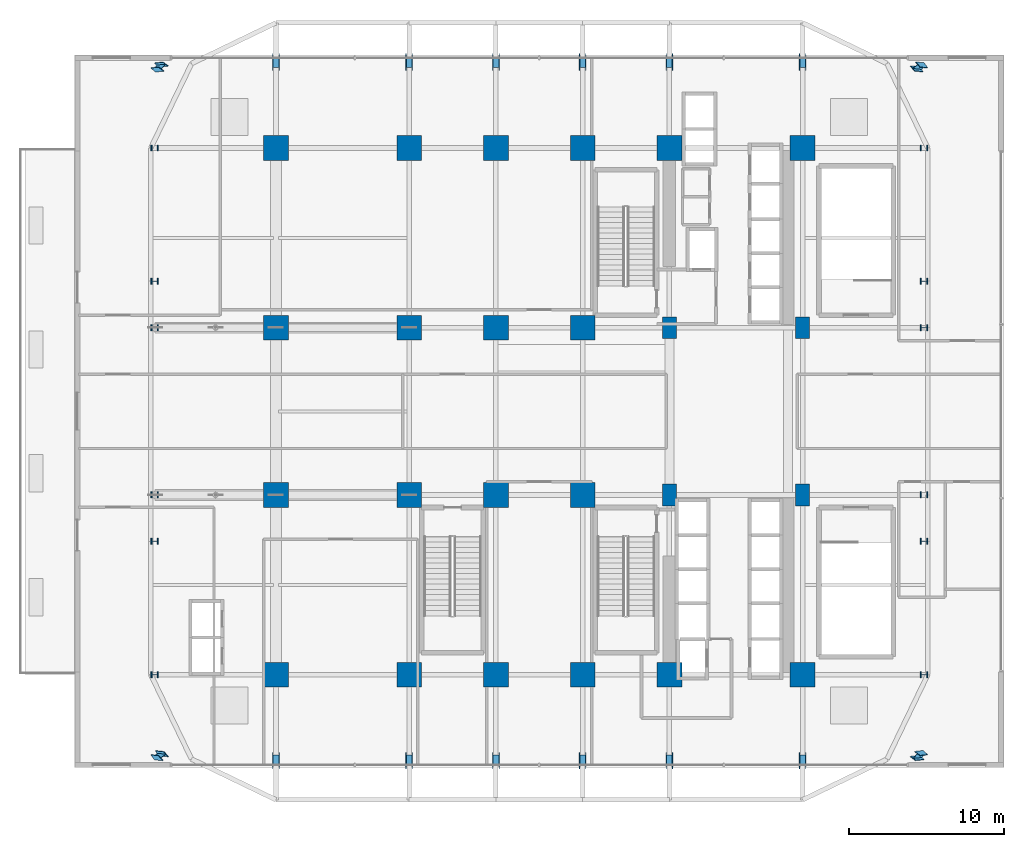
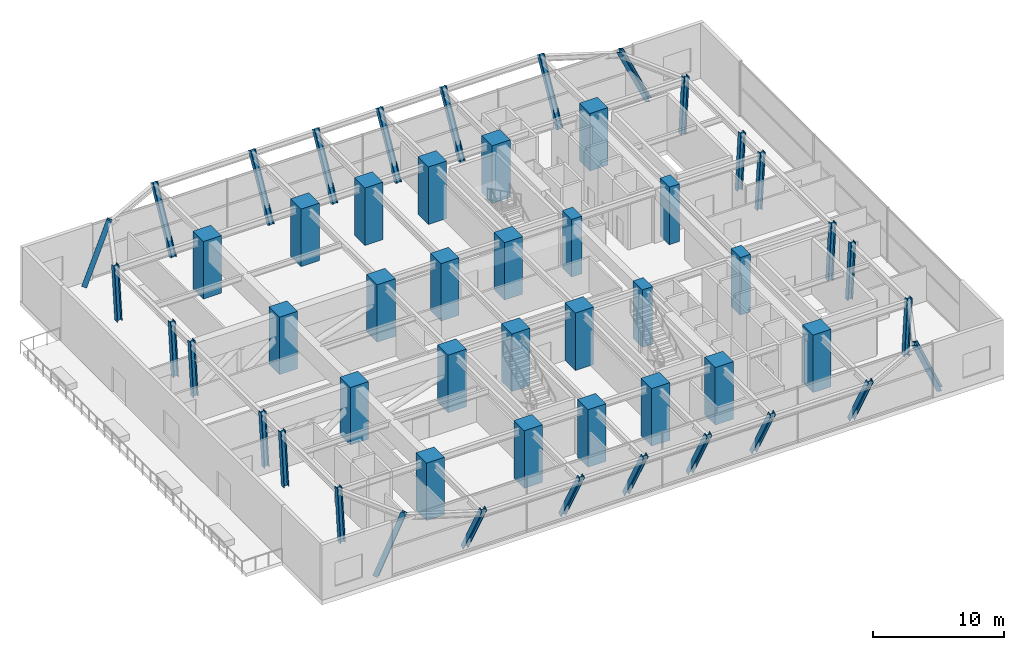
# One storey, part 1 of 29: 52 columns.
"""IFC4 building model written with IfcOpenShell, lengths in metres."""

from ifc_helpers import new_model, si_unit, direction, frame, origin, origin_2d, place, context, subcontext, project, spatial, rectangle, i_section, extrude, source, transform, mapped, material, material_profile, profile_set, type_object, element, save


model = new_model("IFC4")

# Units and contexts
model_context = context("Model", 3, precision=1e-05, world=origin(), true_north=direction((0.0, 1.0)))
body_context = subcontext(model_context, "Body", "Model", "MODEL_VIEW")
ifc_project = project(units=[si_unit("LENGTHUNIT", "METRE"), si_unit("AREAUNIT", "SQUARE_METRE"), si_unit("VOLUMEUNIT", "CUBIC_METRE"), si_unit("PLANEANGLEUNIT", "RADIAN"), si_unit("MASSUNIT", "GRAM", prefix="KILO")], contexts=[model_context])

# Site, building, storey
site_placement = place(None, origin())
site = spatial("IfcSite", under=ifc_project, at=site_placement, CompositionType="ELEMENT")
building_placement = place(site_placement, origin())
building = spatial("IfcBuilding", under=site, at=building_placement, Name="Nahalor Promenade Grand Hotel", CompositionType="ELEMENT")
storey_placement = place(building_placement, frame((0.0, 0.0, 27.0)))
storey = spatial("IfcBuildingStorey", under=building, at=storey_placement, Name="L05", CompositionType="ELEMENT", Elevation=27.0)

# Columns
ifc_material_1 = material(Name="Concrete B-70 (C60/75)", Category="concrete")
ifc_material_profile_1 = material_profile(ifc_material_1, rectangle(XDim=1.6, YDim=1.6, at=origin_2d()), Name="RC 1600x1600")
ifc_profile_set_1 = profile_set([ifc_material_profile_1], Name="Concrete B-70 (C60/75)")
column_type_1 = type_object("IfcColumnType", Name="Col-RC-1600", PredefinedType="COLUMN", material=ifc_profile_set_1)
shared_shape_1 = source(origin(), body_context, "Body", "SweptSolid", [
    extrude(rectangle(XDim=1.6, YDim=1.6, at=origin_2d()), origin(), (0.0, 0.0, 1.0), 5.35498046875),
])
for number, where, z_axis, x_axis, name in (
    (1, (-17.0, -17.0, 0.0), (0.0, 0.0, 1.0), (1.0, 0.0, 0.0), "COL-L05-I00"),
    (2, (-17.0, -5.39990234375, 0.0), (0.0, 0.0, 1.0), (1.0, 0.0, 0.0), "COL-L05-I01"),
    (3, (-17.0, 5.39990234375, 0.0), (0.0, 0.0, 1.0), (1.0, 0.0, 0.0), "COL-L05-I02"),
    (4, (-17.0, 17.0, 0.0), (0.0, 0.0, 1.0), (1.0, 0.0, 0.0), "COL-L05-I03"),
    (5, (-8.39990234375, -17.0, 0.0), (0.0, 0.0, 1.0), (1.0, 0.0, 0.0), "COL-L05-I10"),
    (6, (-8.39990234375, -5.39990234375, 0.0), (0.0, 0.0, 1.0), (1.0, 0.0, 0.0), "COL-L05-I11"),
    (7, (-8.39990234375, 5.39990234375, 0.0), (0.0, 0.0, 1.0), (1.0, 0.0, 0.0), "COL-L05-I12"),
    (8, (-8.39990234375, 17.0, 0.0), (0.0, 0.0, 1.0), (1.0, 0.0, 0.0), "COL-L05-I13"),
    (9, (-2.800048828125, -17.0, 0.0), (0.0, 0.0, 1.0), (1.0, 0.0, 0.0), "COL-L05-I20"),
    (10, (-2.800048828125, -5.39990234375, 0.0), (0.0, 0.0, 1.0), (1.0, 0.0, 0.0), "COL-L05-I21"),
    (11, (-2.800048828125, 5.39990234375, 0.0), (0.0, 0.0, 1.0), (1.0, 0.0, 0.0), "COL-L05-I22"),
    (12, (-2.800048828125, 17.0, 0.0), (0.0, 0.0, 1.0), (1.0, 0.0, 0.0), "COL-L05-I23"),
    (13, (2.800048828125, -17.0, 0.0), (0.0, 0.0, 1.0), (1.0, 0.0, 0.0), "COL-L05-I30"),
    (14, (2.800048828125, -5.39990234375, 0.0), (0.0, 0.0, 1.0), (1.0, 0.0, 0.0), "COL-L05-I31"),
    (15, (2.800048828125, 5.39990234375, 0.0), (0.0, 0.0, 1.0), (1.0, 0.0, 0.0), "COL-L05-I32"),
    (16, (2.800048828125, 17.0, 0.0), (0.0, 0.0, 1.0), (1.0, 0.0, 0.0), "COL-L05-I33"),
    (17, (8.39990234375, -17.0, 0.0), (0.0, 0.0, 1.0), (1.0, 0.0, 0.0), "COL-L05-I40"),
    (18, (8.39990234375, 17.0, 0.0), (0.0, 0.0, 1.0), (1.0, 0.0, 0.0), "COL-L05-I43"),
    (19, (17.0, -17.0, 0.0), (0.0, 0.0, 1.0), (1.0, 0.0, 0.0), "COL-L05-I50"),
    (20, (17.0, 17.0, 0.0), (0.0, 0.0, 1.0), (1.0, 0.0, 0.0), "COL-L05-I53"),
):
    element("IfcColumn", number, at=place(storey_placement, frame(where, z_axis=z_axis, x_axis=x_axis)), inside=storey, type_object=column_type_1, Name=name, PredefinedType="COLUMN", context=body_context, shape_type="MappedRepresentation", body=[
        mapped(shared_shape_1, transform((0.0, 0.0, 0.0), scale=1.0)),
    ])
ifc_material_2 = material(Name="Concrete B-60 (C50/60)", Category="concrete")
ifc_material_profile_2 = material_profile(ifc_material_2, rectangle(XDim=0.9, YDim=1.4, at=origin_2d()), Name="RC 900x1400")
ifc_profile_set_2 = profile_set([ifc_material_profile_2], Name="Concrete B-60 (C50/60)")
column_type_2 = type_object("IfcColumnType", Name="Col-Pilaster-1400", PredefinedType="PILASTER", material=ifc_profile_set_2)
shared_shape_2 = source(origin(), body_context, "Body", "SweptSolid", [
    extrude(rectangle(XDim=0.9, YDim=1.4, at=origin_2d()), origin(), (0.0, 0.0, 1.0), 5.35498046875),
])
for number, where, z_axis, x_axis, name in (
    (21, (8.39990234375, -5.39990234375, 0.0), (0.0, 0.0, 1.0), (1.0, 0.0, 0.0), "COL-L05-I41"),
    (22, (8.39990234375, 5.39990234375, 0.0), (0.0, 0.0, 1.0), (1.0, 0.0, 0.0), "COL-L05-I42"),
    (23, (17.0, -5.39990234375, 0.0), (0.0, 0.0, 1.0), (1.0, 0.0, 0.0), "COL-L05-I51"),
    (24, (17.0, 5.39990234375, 0.0), (0.0, 0.0, 1.0), (1.0, 0.0, 0.0), "COL-L05-I52"),
):
    element("IfcColumn", number, at=place(storey_placement, frame(where, z_axis=z_axis, x_axis=x_axis)), inside=storey, type_object=column_type_2, Name=name, PredefinedType="PILASTER", context=body_context, shape_type="MappedRepresentation", body=[
        mapped(shared_shape_2, transform((0.0, 0.0, 0.0), scale=1.0)),
    ])
ifc_material_3 = material(Name="Steel S355J2", Category="steel")
ifc_material_profile_3 = material_profile(ifc_material_3, i_section(OverallWidth=0.416, OverallDepth=0.446, WebThickness=0.025, FlangeThickness=0.04, at=origin_2d()), Name="HD 400x509")
ifc_profile_set_3 = profile_set([ifc_material_profile_3], Name="Steel S355J2")
column_type_3 = type_object("IfcColumnType", Name="Col-Steel-HD509", PredefinedType="COLUMN", material=ifc_profile_set_3)
shared_shape_3 = source(origin(), body_context, "Body", "SweptSolid", [
    extrude(i_section(OverallWidth=0.416, OverallDepth=0.446, WebThickness=0.025, FlangeThickness=0.04, at=origin_2d()), origin(), (0.0, 0.0, 1.0), 5.262451171875),
])
for number, where, z_axis, x_axis, name in (
    (25, (-24.800048828125, -17.0, 0.0), (-0.053213847842, 0.0, 0.998583139452), (0.0, -1.0, 0.0), "COL-L05-PW-W0"),
    (26, (24.800048828125, -17.0, 0.0), (0.053213847842, 0.0, 0.998583139452), (0.0, 1.0, 0.0), "COL-L05-PW-E0"),
    (27, (-24.800048828125, -8.39990234375, 0.0), (-0.053213847842, 0.0, 0.998583139452), (0.0, -1.0, 0.0), "COL-L05-PW-W1"),
    (28, (24.800048828125, -8.39990234375, 0.0), (0.053213847842, 0.0, 0.998583139452), (0.0, 1.0, 0.0), "COL-L05-PW-E1"),
    (29, (-24.800048828125, -5.39990234375, 0.0), (-0.053213847842, 0.0, 0.998583139452), (0.0, -1.0, 0.0), "COL-L05-PW-W2"),
    (30, (24.800048828125, -5.39990234375, 0.0), (0.053213847842, 0.0, 0.998583139452), (0.0, 1.0, 0.0), "COL-L05-PW-E2"),
    (31, (-24.800048828125, 5.39990234375, 0.0), (-0.053213847842, 0.0, 0.998583139452), (0.0, -1.0, 0.0), "COL-L05-PW-W3"),
    (32, (24.800048828125, 5.39990234375, 0.0), (0.053213847842, 0.0, 0.998583139452), (0.0, 1.0, 0.0), "COL-L05-PW-E3"),
    (33, (-24.800048828125, 8.39990234375, 0.0), (-0.053213847842, 0.0, 0.998583139452), (0.0, -1.0, 0.0), "COL-L05-PW-W4"),
    (34, (24.800048828125, 8.39990234375, 0.0), (0.053213847842, 0.0, 0.998583139452), (0.0, 1.0, 0.0), "COL-L05-PW-E4"),
    (35, (-24.800048828125, 17.0, 0.0), (-0.053213847842, 0.0, 0.998583139452), (0.0, -1.0, 0.0), "COL-L05-PW-W5"),
    (36, (24.800048828125, 17.0, 0.0), (0.053213847842, 0.0, 0.998583139452), (0.0, 1.0, 0.0), "COL-L05-PW-E5"),
):
    element("IfcColumn", number, at=place(storey_placement, frame(where, z_axis=z_axis, x_axis=x_axis)), inside=storey, type_object=column_type_3, Name=name, PredefinedType="COLUMN", context=body_context, shape_type="MappedRepresentation", body=[
        mapped(shared_shape_3, transform((0.0, 0.0, 0.0), scale=1.0)),
    ])
shared_shape_4 = source(origin(), body_context, "Body", "SweptSolid", [
    extrude(i_section(OverallWidth=0.416, OverallDepth=0.446, WebThickness=0.025, FlangeThickness=0.04, at=origin_2d()), origin(), (0.0, 0.0, 1.0), 5.992431640625),
])
for number, where, z_axis, x_axis, name in (
    (37, (-17.0, -22.199951171875, 0.0), (0.0, -0.48062950922, 0.876923756587), (0.0, 0.876923756587, 0.48062950922), "COL-L05-PN-S0"),
    (38, (-17.0, 22.199951171875, 0.0), (0.0, 0.48062950922, 0.876923756587), (0.0, -0.876923756587, 0.48062950922), "COL-L05-PN-N0"),
    (39, (-8.39990234375, -22.199951171875, 0.0), (0.0, -0.48062950922, 0.876923756587), (0.0, 0.876923756587, 0.48062950922), "COL-L05-PN-S1"),
    (40, (-8.39990234375, 22.199951171875, 0.0), (0.0, 0.48062950922, 0.876923756587), (0.0, -0.876923756587, 0.48062950922), "COL-L05-PN-N1"),
    (41, (-2.800048828125, -22.199951171875, 0.0), (0.0, -0.48062950922, 0.876923756587), (0.0, 0.876923756587, 0.48062950922), "COL-L05-PN-S2"),
    (42, (-2.800048828125, 22.199951171875, 0.0), (0.0, 0.48062950922, 0.876923756587), (0.0, -0.876923756587, 0.48062950922), "COL-L05-PN-N2"),
    (43, (2.800048828125, -22.199951171875, 0.0), (0.0, -0.48062950922, 0.876923756587), (0.0, 0.876923756587, 0.48062950922), "COL-L05-PN-S3"),
    (44, (2.800048828125, 22.199951171875, 0.0), (0.0, 0.48062950922, 0.876923756587), (0.0, -0.876923756587, 0.48062950922), "COL-L05-PN-N3"),
    (45, (8.39990234375, -22.199951171875, 0.0), (0.0, -0.48062950922, 0.876923756587), (0.0, 0.876923756587, 0.48062950922), "COL-L05-PN-S4"),
    (46, (8.39990234375, 22.199951171875, 0.0), (0.0, 0.48062950922, 0.876923756587), (0.0, -0.876923756587, 0.48062950922), "COL-L05-PN-N4"),
    (47, (17.0, -22.199951171875, 0.0), (0.0, -0.48062950922, 0.876923756587), (0.0, 0.876923756587, 0.48062950922), "COL-L05-PN-S5"),
    (48, (17.0, 22.199951171875, 0.0), (0.0, 0.48062950922, 0.876923756587), (0.0, -0.876923756587, 0.48062950922), "COL-L05-PN-N5"),
):
    element("IfcColumn", number, at=place(storey_placement, frame(where, z_axis=z_axis, x_axis=x_axis)), inside=storey, type_object=column_type_3, Name=name, PredefinedType="COLUMN", context=body_context, shape_type="MappedRepresentation", body=[
        mapped(shared_shape_4, transform((0.0, 0.0, 0.0), scale=1.0)),
    ])
shared_shape_5 = source(origin(), body_context, "Body", "SweptSolid", [
    extrude(i_section(OverallWidth=0.416, OverallDepth=0.446, WebThickness=0.025, FlangeThickness=0.04, at=origin_2d()), origin(), (0.0, 0.0, 1.0), 5.761962890625),
])
for number, where, z_axis, x_axis, name in (
    (49, (-24.800048828125, -22.199951171875, 0.0), (0.40786999496, -0.043388621945, 0.91200849486), (-0.566470207263, 0.771356760282, 0.290034916263), "COL-L05-CRN-SW"),
    (50, (-24.800048828125, 22.199951171875, 0.0), (0.40786999496, 0.043388621945, 0.91200849486), (-0.716068133277, 0.634922180943, 0.290034916263), "COL-L05-CRN-NW"),
    (51, (24.800048828125, -22.199951171875, 0.0), (-0.40786999496, -0.043388621945, 0.91200849486), (0.716068133277, -0.634922180943, 0.290034916263), "COL-L05-CRN-SE"),
    (52, (24.800048828125, 22.199951171875, 0.0), (-0.40786999496, 0.043388621945, 0.91200849486), (0.566470207263, -0.771356760282, 0.290034916263), "COL-L05-CRN-NE"),
):
    element("IfcColumn", number, at=place(storey_placement, frame(where, z_axis=z_axis, x_axis=x_axis)), inside=storey, type_object=column_type_3, Name=name, PredefinedType="COLUMN", context=body_context, shape_type="MappedRepresentation", body=[
        mapped(shared_shape_5, transform((0.0, 0.0, 0.0), scale=1.0)),
    ])

save(model, "model.ifc")
